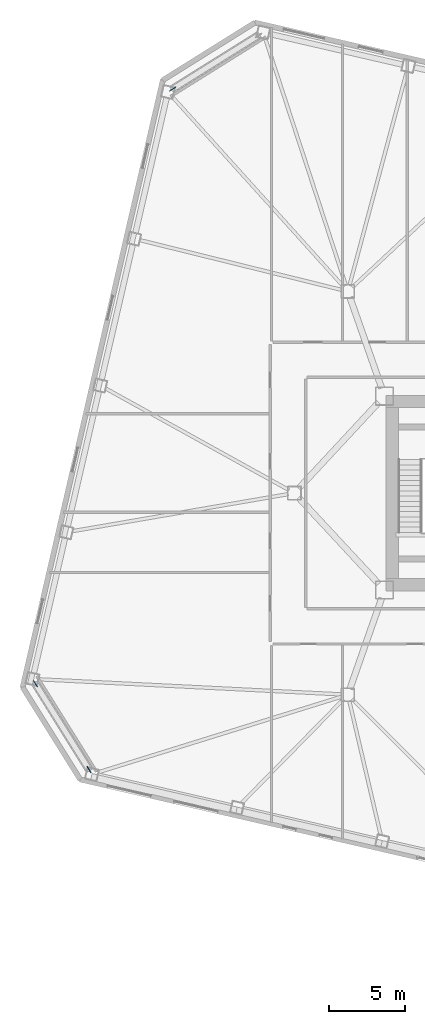
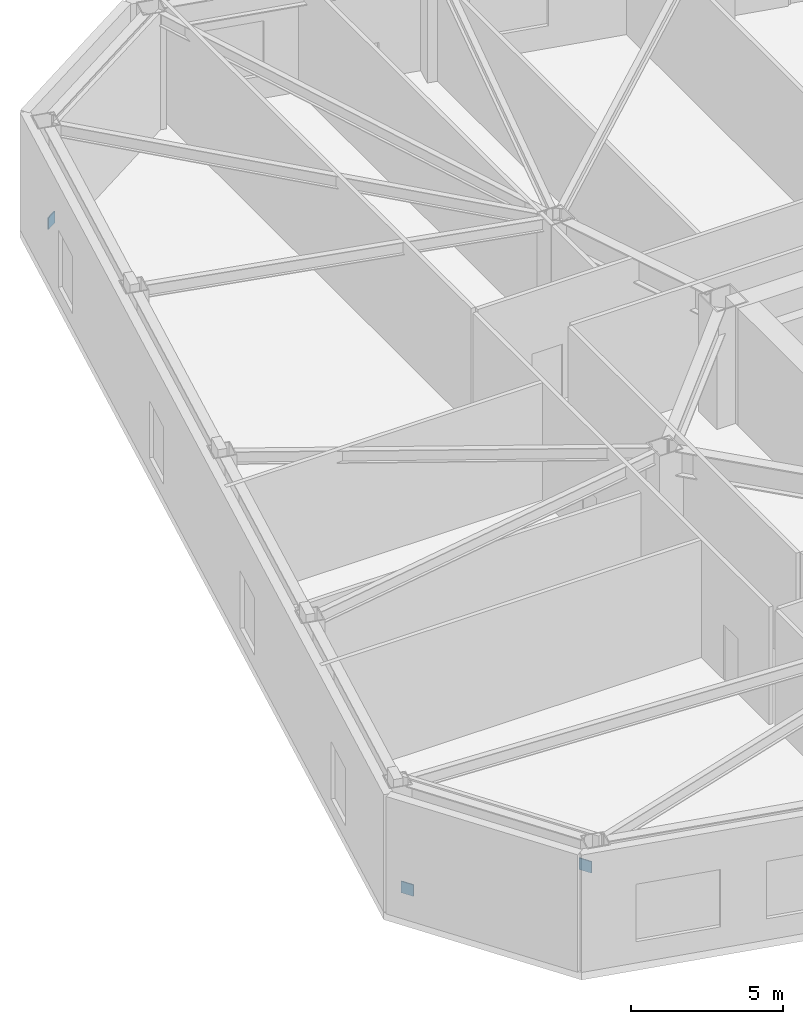
# One storey, part 16 of 21: 3 discrete accessories.
"""IFC4 building model written with IfcOpenShell, lengths in metres."""

from ifc_helpers import new_model, si_unit, direction, frame, origin, origin_2d, place, context, subcontext, project, spatial, rectangle, extrude, material, type_object, element, save


model = new_model("IFC4")

# Units and contexts
model_context = context("Model", 3, precision=1e-05, world=origin(), true_north=direction((0.0, 1.0)))
body_context = subcontext(model_context, "Body", "Model", "MODEL_VIEW")
ifc_project = project(units=[si_unit("LENGTHUNIT", "METRE"), si_unit("AREAUNIT", "SQUARE_METRE"), si_unit("VOLUMEUNIT", "CUBIC_METRE"), si_unit("PLANEANGLEUNIT", "RADIAN"), si_unit("MASSUNIT", "GRAM", prefix="KILO")], contexts=[model_context])

# Site, building, storey
site_placement = place(None, origin())
site = spatial("IfcSite", under=ifc_project, at=site_placement, CompositionType="ELEMENT")
building_placement = place(site_placement, origin())
building = spatial("IfcBuilding", under=site, at=building_placement, Name="Tavrogorsk Clinical Tower", CompositionType="ELEMENT")
storey_placement = place(building_placement, frame((0.0, 0.0, 8.39990234375)))
storey = spatial("IfcBuildingStorey", under=building, at=storey_placement, Name="L01", CompositionType="ELEMENT", Elevation=8.39990234375)

# Discrete accessories
ifc_material = material(Name="Structural steel S440", Category="steel")
discrete_accessory_type = type_object("IfcDiscreteAccessoryType", Name="GussetPlateBracket_25", PredefinedType="BRACKET", material=ifc_material)
for number, where, z_axis, x_axis, name in (
    (1, (-35.962890625, 26.455322265625, 0.243408203125), (0.0, 0.0, 1.0), (0.848048096156, 0.529919264233, 0.0), "L01 Brace Gusset Plate EXOCRN-L01-3-A"),
    (2, (-44.95263671875, -12.482666015625, 0.243408203125), (0.0, 0.0, 1.0), (0.529919264233, -0.848048096156, 0.0), "L01 Brace Gusset Plate EXOCRN-L01-4-A"),
    (3, (-41.447021484375, -18.0927734375, 3.346923828125), (0.0, 0.0, 1.0), (0.529919264233, -0.848048096156, 0.0), "L01 Brace Gusset Plate EXOCRN-L01-4-B"),
):
    element("IfcDiscreteAccessory", number, at=place(storey_placement, frame(where, z_axis=z_axis, x_axis=x_axis)), inside=storey, type_object=discrete_accessory_type, Name=name, PredefinedType="BRACKET", context=body_context, shape_type="SweptSolid", body=[
        extrude(rectangle(XDim=0.4599609375, YDim=0.0400390625, at=origin_2d()), origin(), (0.0, 0.0, 1.0), 0.4599609375),
    ])

save(model, "model.ifc")
